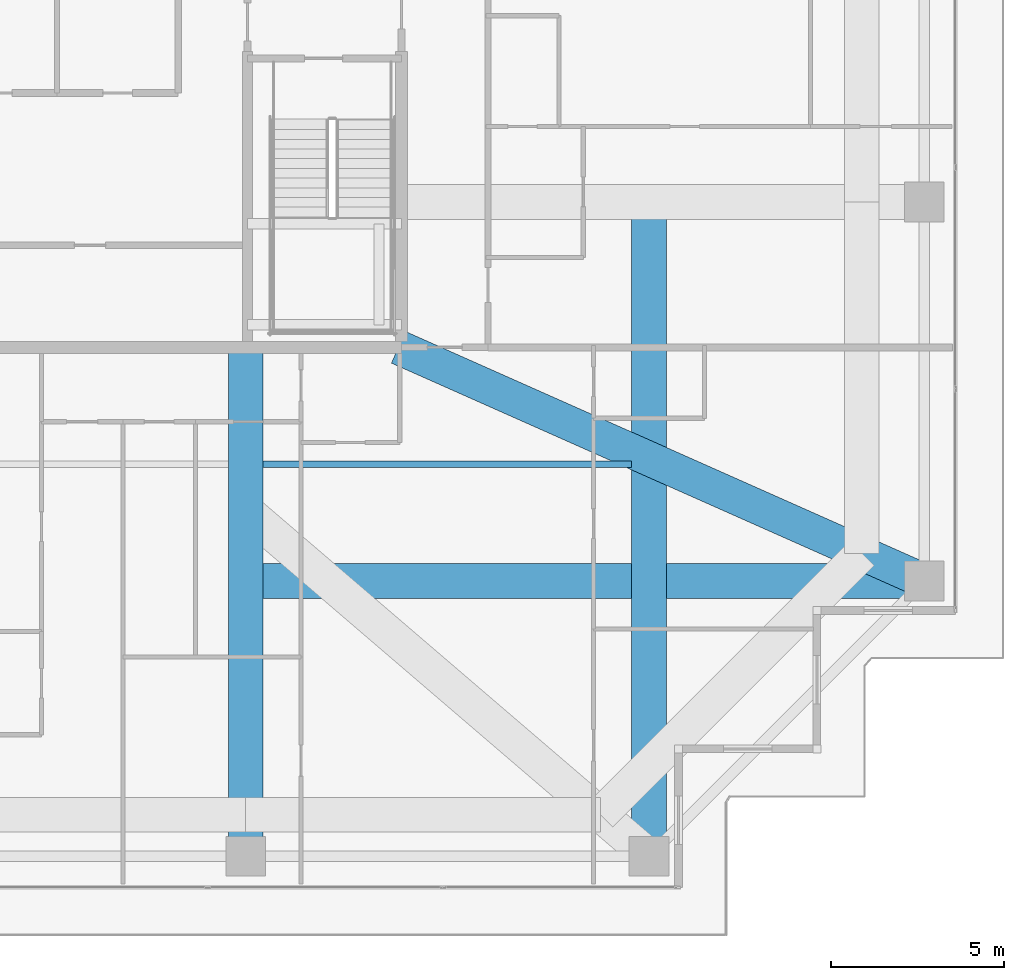
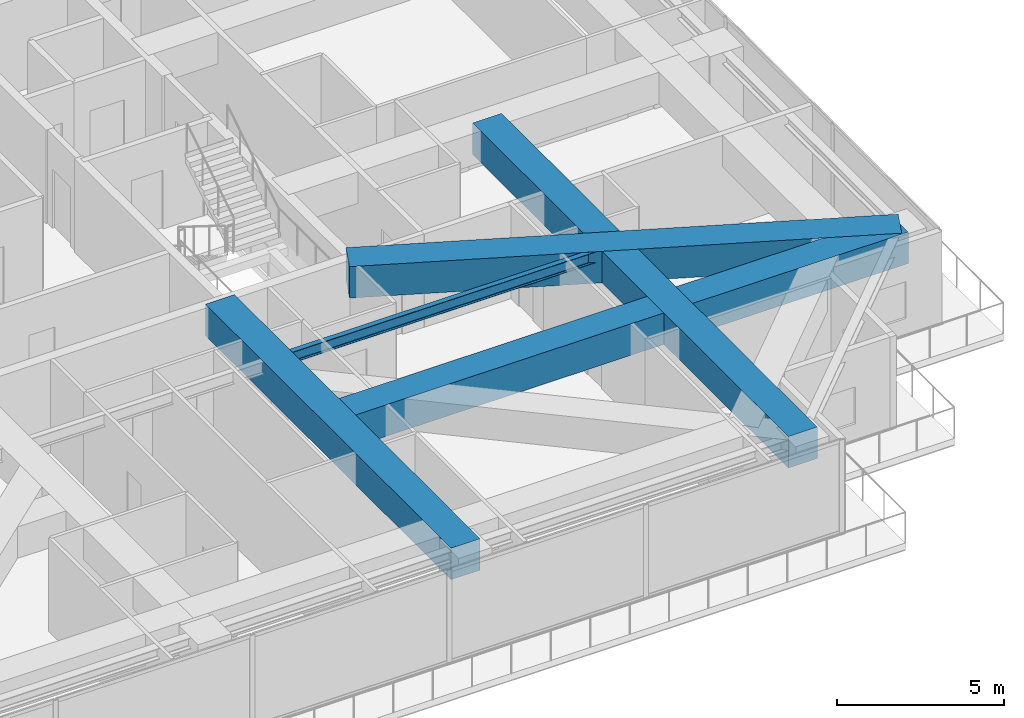
# One storey, part 16 of 39: 5 beams.
"""IFC4 building model written with IfcOpenShell, lengths in metres."""

from ifc_helpers import new_model, si_unit, direction, frame, origin, origin_2d, place, context, subcontext, project, spatial, rectangle, i_section, extrude, source, transform, mapped, material, material_profile, profile_set, type_object, element, save


model = new_model("IFC4")

# Units and contexts
model_context = context("Model", 3, precision=1e-05, world=origin(), true_north=direction((0.0, 1.0)))
body_context = subcontext(model_context, "Body", "Model", "MODEL_VIEW")
ifc_project = project(units=[si_unit("LENGTHUNIT", "METRE"), si_unit("AREAUNIT", "SQUARE_METRE"), si_unit("VOLUMEUNIT", "CUBIC_METRE"), si_unit("PLANEANGLEUNIT", "RADIAN"), si_unit("MASSUNIT", "GRAM", prefix="KILO")], contexts=[model_context])

# Site, building, storey
site_placement = place(None, origin())
site = spatial("IfcSite", under=ifc_project, at=site_placement, CompositionType="ELEMENT")
building_placement = place(site_placement, origin())
building = spatial("IfcBuilding", under=site, at=building_placement, Name="Serunith Strait Residences", CompositionType="ELEMENT")
storey_placement = place(building_placement, frame((0.0, 0.0, 283.60009765625)))
storey = spatial("IfcBuildingStorey", under=building, at=storey_placement, Name="L71", CompositionType="ELEMENT", Elevation=283.60009765625)

# Beams
ifc_material_1 = material(Name="Concrete C80/95", Category="concrete")
ifc_material_profile_1 = material_profile(ifc_material_1, rectangle(XDim=1.0, YDim=1.14990234375, at=origin_2d()), Name="RC 1000x1150")
ifc_profile_set_1 = profile_set([ifc_material_profile_1], Name="Concrete C80/95")
beam_type_1 = type_object("IfcBeamType", Name="BM-XFER-1000x1150", PredefinedType="BEAM", material=ifc_profile_set_1)
shared_shape_1 = source(origin(), body_context, "Body", "SweptSolid", [
    extrude(rectangle(XDim=1.0, YDim=1.14990234375, at=origin_2d()), origin(), (0.0, 0.0, 1.0), 14.699951171875),
])
beam_1_placement = place(storey_placement, frame((36.89990234375, 16.800048828125, 2.8349609375), z_axis=(0.0, -1.0, 0.0), x_axis=(1.0, 0.0, 0.0)))
element("IfcBeam", 1, at=beam_1_placement, inside=storey, type_object=beam_type_1, Name="L71 Primary Floor Girder TC-S3", PredefinedType="BEAM", context=body_context, shape_type="MappedRepresentation", body=[
    mapped(shared_shape_1, transform((0.0, 0.0, 0.0), scale=1.0)),
])
shared_shape_2 = source(origin(), body_context, "Body", "SweptSolid", [
    extrude(rectangle(XDim=1.0, YDim=1.14990234375, at=origin_2d()), origin(), (0.0, 0.0, 1.0), 18.89990234375),
])
beam_2_placement = place(storey_placement, frame((48.550048828125, 21.0, 2.8349609375), z_axis=(0.0, -1.0, 0.0), x_axis=(1.0, 0.0, 0.0)))
element("IfcBeam", 2, at=beam_2_placement, inside=storey, type_object=beam_type_1, Name="L71 Orthogonal Corner Girder TC-S4", PredefinedType="BEAM", context=body_context, shape_type="MappedRepresentation", body=[
    mapped(shared_shape_2, transform((0.0, 0.0, 0.0), scale=1.0)),
])
shared_shape_3 = source(origin(), body_context, "Body", "SweptSolid", [
    extrude(rectangle(XDim=1.0, YDim=1.14990234375, at=origin_2d()), origin(), (0.0, 0.0, 1.0), 19.60009765625),
])
beam_3_placement = place(storey_placement, frame((36.89990234375, 10.050048828125, 2.8349609375), z_axis=(1.0, 0.0, 0.0), x_axis=(0.0, 1.0, 0.0)))
element("IfcBeam", 3, at=beam_3_placement, inside=storey, type_object=beam_type_1, Name="L71 Orthogonal Corner Girder TC-E1", PredefinedType="BEAM", context=body_context, shape_type="MappedRepresentation", body=[
    mapped(shared_shape_3, transform((0.0, 0.0, 0.0), scale=1.0)),
])
shared_shape_4 = source(origin(), body_context, "Body", "SweptSolid", [
    extrude(rectangle(XDim=1.0, YDim=1.14990234375, at=origin_2d()), origin(), (0.0, 0.0, 1.0), 16.619873046875),
])
beam_4_placement = place(storey_placement, frame((56.5, 10.050048828125, 2.8349609375), z_axis=(-0.91381154862, 0.406138466053, 0.0), x_axis=(-0.406138466053, -0.91381154862, 0.0)))
element("IfcBeam", 4, at=beam_4_placement, inside=storey, type_object=beam_type_1, Name="L71 Diagonal Corner Transfer Girder TC-E1", PredefinedType="BEAM", context=body_context, shape_type="MappedRepresentation", body=[
    mapped(shared_shape_4, transform((0.0, 0.0, 0.0), scale=1.0)),
])
ifc_material_2 = material(Name="Steel S355J2", Category="steel")
ifc_material_profile_2 = material_profile(ifc_material_2, i_section(OverallWidth=0.179931640625, OverallDepth=0.39990234375, WebThickness=0.008544921875, FlangeThickness=0.013427734375, FilletRadius=0.02099609375, at=origin_2d()), Name="IPE 400")
ifc_profile_set_2 = profile_set([ifc_material_profile_2], Name="Steel S355J2")
beam_type_2 = type_object("IfcBeamType", Name="BM-IPE400", PredefinedType="JOIST", material=ifc_profile_set_2)
shared_shape_5 = source(origin(), body_context, "Body", "SweptSolid", [
    extrude(i_section(OverallWidth=0.179931640625, OverallDepth=0.39990234375, WebThickness=0.008544921875, FlangeThickness=0.013427734375, FilletRadius=0.02099609375, at=origin_2d()), origin(), (0.0, 0.0, 1.0), 10.650146484375),
])
beam_5_placement = place(storey_placement, frame((37.39990234375, 13.425048828125, 3.206787109375), z_axis=(1.0, 0.0, 0.0), x_axis=(0.0, 1.0, 0.0)))
element("IfcBeam", 5, at=beam_5_placement, inside=storey, type_object=beam_type_2, Name="L71 Composite Floor Joist 03", PredefinedType="JOIST", context=body_context, shape_type="MappedRepresentation", body=[
    mapped(shared_shape_5, transform((0.0, 0.0, 0.0), scale=1.0)),
])

save(model, "model.ifc")
